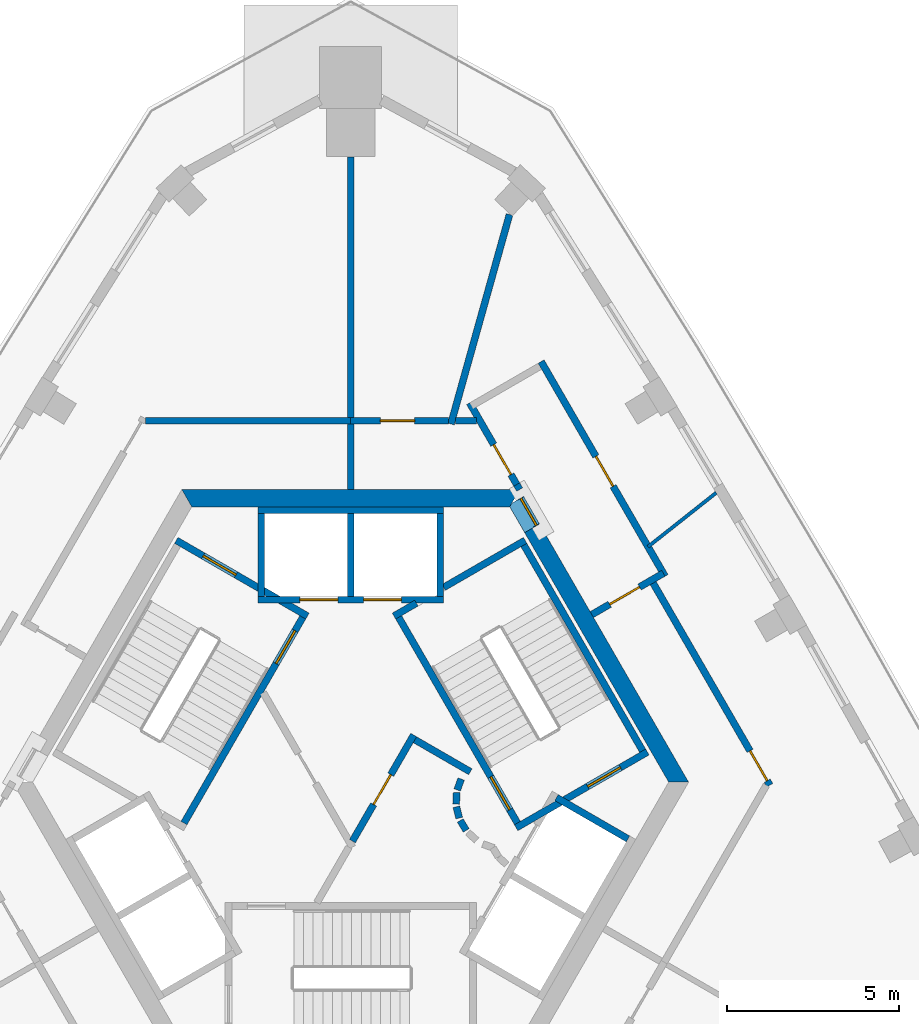
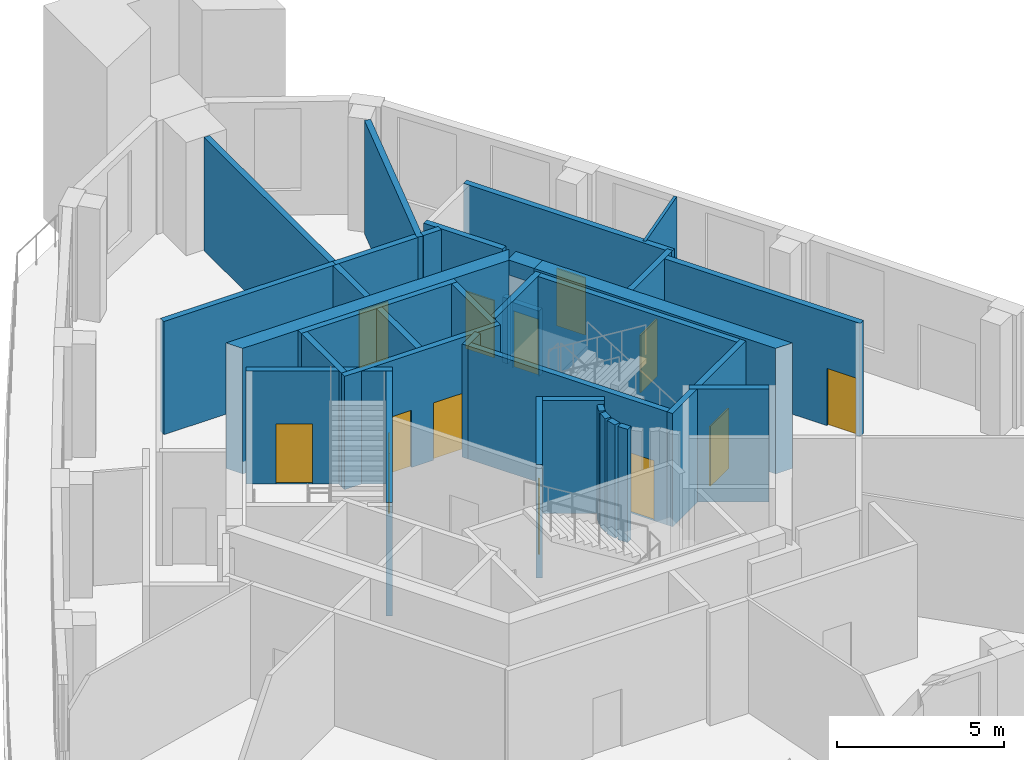
# One storey, part 4 of 7: 35 walls, 13 doors, 13 openings.
"""IFC4 building model written with IfcOpenShell, lengths in metres."""

import ifcopenshell
import ifcopenshell.guid

model = None  # the IFC model being written
_history = None  # IfcOwnerHistory: only IFC2X3 demands one
_inside = {}  # id of a spatial element -> (the spatial element, [elements in it])
_under = {}  # id of a project, library or spatial element -> (it, [spatial elements below it])
_declared = {}  # id of a project -> (the project, [libraries it declares])
_typed = {}  # id of a type object -> (the type object, [elements of that type])
_made_of = {}  # id of a material, layer set ... -> (it, [elements and type objects made of it])


def new_model(schema):
    """Start an empty IFC model of exactly this schema.

    Asked for "IFC4X3", IfcOpenShell would pick the latest addendum, in which some entities
    have other attributes; the version numbers below select the first issue.
    IFC2X3 requires an IfcOwnerHistory on every rooted entity: one is made here for all.
    """
    global model, _history
    if schema == "IFC4X3":
        model = ifcopenshell.file(schema_version=(4, 3, 0, 0))
    else:
        model = ifcopenshell.file(schema=schema)
    _inside.clear()
    _under.clear()
    _declared.clear()
    _typed.clear()
    _made_of.clear()
    _history = None
    if model.schema == "IFC2X3":
        org = make("IfcOrganization", Name="unknown")
        user = make(
            "IfcPersonAndOrganization",
            ThePerson=make("IfcPerson", FamilyName="unknown"),
            TheOrganization=org,
        )
        app = make(
            "IfcApplication",
            ApplicationDeveloper=org,
            Version="unknown",
            ApplicationFullName="unknown",
            ApplicationIdentifier="unknown",
        )
        _history = make(
            "IfcOwnerHistory",
            OwningUser=user,
            OwningApplication=app,
            ChangeAction="ADDED",
            CreationDate=0,
        )
    return model


def make(cls, **values):
    """One entity of the class cls with the attributes given. An attribute that is None is left unset."""
    return model.create_entity(
        cls, **{name: value for name, value in values.items() if value is not None}
    )


def rooted(cls, **values):
    """An entity with a GlobalId (a new one), such as an element, a storey or a relation."""
    return make(cls, GlobalId=ifcopenshell.guid.new(), OwnerHistory=_history, **values)


def si_unit(unit_type, name, prefix=None):
    """IfcSIUnit, for example si_unit("LENGTHUNIT", "METRE", prefix="MILLI")."""
    return make("IfcSIUnit", UnitType=unit_type, Prefix=prefix, Name=name)


def assignment(units):
    """IfcUnitAssignment: the units of a project."""
    return None if units is None else make("IfcUnitAssignment", Units=units)


def point(xyz):
    """IfcCartesianPoint."""
    return None if xyz is None else make("IfcCartesianPoint", Coordinates=xyz)


def direction(xyz):
    """IfcDirection."""
    return None if xyz is None else make("IfcDirection", DirectionRatios=xyz)


def frame(location, z_axis=None, x_axis=None):
    """IfcAxis2Placement3D, a coordinate frame: its origin and axes. An axis left out is left unset."""
    return make(
        "IfcAxis2Placement3D",
        Location=point(location),
        Axis=direction(z_axis),
        RefDirection=direction(x_axis),
    )


def frame_2d(location, x_axis=None):
    """IfcAxis2Placement2D, a coordinate frame in the plane: its origin and x axis."""
    return make(
        "IfcAxis2Placement2D", Location=point(location), RefDirection=direction(x_axis)
    )


def origin():
    """The frame at (0, 0, 0) with its axes left unset."""
    return frame((0.0, 0.0, 0.0))


def place(relative_to, where):
    """IfcLocalPlacement: puts the frame where relative to a parent placement (None: the world)."""
    return make(
        "IfcLocalPlacement", PlacementRelTo=relative_to, RelativePlacement=where
    )


def context(
    kind, dimensions, precision=None, world=None, true_north=None, identifier=None
):
    """IfcGeometricRepresentationContext, for example the 3D "Model" context."""
    return make(
        "IfcGeometricRepresentationContext",
        ContextIdentifier=identifier,
        ContextType=kind,
        CoordinateSpaceDimension=dimensions,
        Precision=precision,
        WorldCoordinateSystem=world,
        TrueNorth=true_north,
    )


def subcontext(parent, identifier, kind, view, scale=None):
    """IfcGeometricRepresentationSubContext, for example "Body" below "Model"."""
    return make(
        "IfcGeometricRepresentationSubContext",
        ContextIdentifier=identifier,
        ContextType=kind,
        ParentContext=parent,
        TargetScale=scale,
        TargetView=view,
    )


def project(units=None, contexts=None):
    """IfcProject with its units and contexts."""
    return rooted(
        "IfcProject",
        Name="project",
        RepresentationContexts=contexts,
        UnitsInContext=assignment(units),
    )


def spatial(cls, under=None, at=None, **own):
    """A site, building, storey or space (cls), placed at a placement, below another one or the project."""
    s = rooted(cls, ObjectPlacement=at, **own)
    if under is not None:
        _under.setdefault(under.id(), (under, []))[1].append(s)
    return s


def polyline(points):
    """IfcPolyline through the points."""
    return make("IfcPolyline", Points=[point(p) for p in points])


def profile(cls, at=None, kind="AREA", **sizes):
    """A parametric profile (cls). Its sizes go by their IFC names, for example OverallWidth=200.0."""
    return make(cls, ProfileType=kind, Position=at, **sizes)


def rectangle(**sizes):
    """IfcRectangleProfileDef."""
    return profile("IfcRectangleProfileDef", **sizes)


def outline(outer, holes=None, kind="AREA"):
    """IfcArbitraryClosedProfileDef: a profile drawn as a closed curve; with holes, ...WithVoids."""
    if holes is None:
        return make("IfcArbitraryClosedProfileDef", ProfileType=kind, OuterCurve=outer)
    return make(
        "IfcArbitraryProfileDefWithVoids",
        ProfileType=kind,
        OuterCurve=outer,
        InnerCurves=holes,
    )


def extrude(swept, where, along, depth):
    """IfcExtrudedAreaSolid: the profile swept, set in the frame where, extruded along a direction by depth."""
    return make(
        "IfcExtrudedAreaSolid",
        SweptArea=swept,
        Position=where,
        ExtrudedDirection=direction(along),
        Depth=depth,
    )


def shape(context_of_items, identifier, shape_type, items):
    """IfcShapeRepresentation: the items that make up one representation, for example the "Body"."""
    return make(
        "IfcShapeRepresentation",
        ContextOfItems=context_of_items,
        RepresentationIdentifier=identifier,
        RepresentationType=shape_type,
        Items=items,
    )


def material(Name=None, Category=None):
    """IfcMaterial."""
    return make("IfcMaterial", Name=Name, Category=Category)


def layer(
    of_material, thickness, ventilated=None, Name=None, Category=None, Priority=None
):
    """IfcMaterialLayer: one layer of a wall or slab, of a material (None: an air gap)."""
    return make(
        "IfcMaterialLayer",
        Material=of_material,
        LayerThickness=thickness,
        IsVentilated=ventilated,
        Name=Name,
        Category=Category,
        Priority=Priority,
    )


def layer_set(layers, Name=None):
    """IfcMaterialLayerSet."""
    return make("IfcMaterialLayerSet", MaterialLayers=layers, LayerSetName=Name)


def made_of(thing, what):
    """Note that an element or type object is made of a material, layer set ...; save() writes the relation."""
    if what is not None:
        _made_of.setdefault(what.id(), (what, []))[1].append(thing)
    return thing


def type_object(cls, material=None, **own):
    """A type object (cls), such as IfcWallType, which elements share."""
    return made_of(rooted(cls, **own), material)


def element(
    cls,
    number,
    at=None,
    inside=None,
    cuts=None,
    type_object=None,
    material=None,
    context=None,
    identifier="Body",
    shape_type=None,
    held_by="IfcProductDefinitionShape",
    body=None,
    shapes=None,
    **own,
):
    """One element of the class cls, such as IfcWall. Its Tag is "e" and its number.

    at: its placement. inside: the storey or other place that contains it. cuts: it is an
    opening in that element (IfcRelVoidsElement). A single representation is given by context,
    identifier, shape_type and body (its items); several are given by shapes. held_by: the class
    of the entity that holds the representations. save() writes the other relations.
    """
    e = rooted(cls, Tag="e%d" % number, ObjectPlacement=at, **own)
    if body is not None:
        shapes = [shape(context, identifier, shape_type, body)]
    if shapes is not None:
        e.Representation = make(held_by, Representations=shapes)
    if inside is not None:
        _inside.setdefault(inside.id(), (inside, []))[1].append(e)
    if cuts is not None:
        rooted(
            "IfcRelVoidsElement", RelatingBuildingElement=cuts, RelatedOpeningElement=e
        )
    if type_object is not None:
        _typed.setdefault(type_object.id(), (type_object, []))[1].append(e)
    return made_of(e, material)


def fill(opening, filler):
    """IfcRelFillsElement: the door or window that sits in an opening."""
    return rooted(
        "IfcRelFillsElement",
        RelatingOpeningElement=opening,
        RelatedBuildingElement=filler,
    )


def aggregate(whole, parts):
    """IfcRelAggregates: a whole, such as a stair, and the parts it consists of."""
    return rooted("IfcRelAggregates", RelatingObject=whole, RelatedObjects=parts)


def save(model, path):
    """Write the relations noted so far, then the file.

    IfcRelAggregates (storeys below a building ...), IfcRelContainedInSpatialStructure (elements
    in a storey), IfcRelDefinesByType, IfcRelAssociatesMaterial and IfcRelDeclares: one each for
    every whole, place, type object, material and project.
    """
    for whole, parts in _under.values():
        aggregate(whole, parts)
    for where, things in _inside.values():
        rooted(
            "IfcRelContainedInSpatialStructure",
            RelatedElements=things,
            RelatingStructure=where,
        )
    for kind, things in _typed.values():
        rooted("IfcRelDefinesByType", RelatedObjects=things, RelatingType=kind)
    for what, things in _made_of.values():
        rooted("IfcRelAssociatesMaterial", RelatedObjects=things, RelatingMaterial=what)
    for by, libraries in _declared.values():
        rooted("IfcRelDeclares", RelatingContext=by, RelatedDefinitions=libraries)
    model.write(path)


model = new_model("IFC4")

# Units and contexts
model_context = context("Model", 3, precision=1e-05, world=origin(), true_north=direction((0.0, 1.0)))
body_context = subcontext(model_context, "Body", "Model", "MODEL_VIEW")
ifc_project = project(units=[si_unit("LENGTHUNIT", "METRE"), si_unit("AREAUNIT", "SQUARE_METRE"), si_unit("VOLUMEUNIT", "CUBIC_METRE"), si_unit("PLANEANGLEUNIT", "RADIAN"), si_unit("MASSUNIT", "GRAM", prefix="KILO")], contexts=[model_context])

# Site, building, storey
site_placement = place(None, origin())
site = spatial("IfcSite", under=ifc_project, at=site_placement, CompositionType="ELEMENT")
building_placement = place(site_placement, origin())
building = spatial("IfcBuilding", under=site, at=building_placement, Name="Entoto Arch Interchange Tower", CompositionType="ELEMENT")
storey_placement = place(building_placement, frame((0.0, 0.0, 340.39990234375)))
storey = spatial("IfcBuildingStorey", under=building, at=storey_placement, Name="L80", CompositionType="ELEMENT", Elevation=340.39990234375)

# Wall, opening, door
ifc_material_1 = material(Name="Reinforced concrete C40/50", Category="concrete")
ifc_layer_1 = layer(ifc_material_1, 0.199951171875)
ifc_layer_set_1 = layer_set([ifc_layer_1], Name="Reinforced concrete C40/50")
wall_type_1 = type_object("IfcWallType", Name="CORE GAP INFILL WALL", PredefinedType="PARTITIONING", material=ifc_layer_set_1)
wall_1_placement = place(storey_placement, frame((5.39892578125, 9.947998046875, 0.0), z_axis=(0.0, 0.0, 1.0), x_axis=(-0.499882215713, 0.866093395895, 0.0)))
wall_1 = element("IfcWall", 1, at=wall_1_placement, inside=storey, type_object=wall_type_1, Name="wall:L80:gap2", PredefinedType="PARTITIONING", context=body_context, shape_type="SweptSolid", body=[
    extrude(rectangle(XDim=0.926025390625, YDim=0.199951171875, at=frame_2d((0.462890625, 0.0))), origin(), (0.0, 0.0, 1.0), 2.400146484375),
])
opening_1_placement = place(wall_1_placement, frame((0.01708984375, 0.0, 0.0)))
opening_1 = element("IfcOpeningElement", 2, at=opening_1_placement, cuts=wall_1, Name="Opening L80-D92", PredefinedType="OPENING", context=body_context, shape_type="SweptSolid", body=[
    extrude(rectangle(XDim=0.89990234375, YDim=2.10009765625, at=frame_2d((0.449951171875, 1.050048828125))), frame((0.0, 0.10986328125, 0.0), z_axis=(0.0, -1.0, 0.0), x_axis=(1.0, 0.0, 0.0)), (0.0, 0.0, 1.0), 0.219970703125),
])
ifc_material_2 = material(Name="Fire-rated Steel S235 door and frame", Category="steel")
door_type_1 = type_object("IfcDoorType", Name="DOOR FD-09 900x2100", OperationType="SINGLE_SWING_LEFT", PredefinedType="DOOR", material=ifc_material_2)
door_1_placement = place(opening_1_placement, origin())
door_1 = element("IfcDoor", 3, at=door_1_placement, inside=storey, type_object=door_type_1, Name="door:L80:gap2", OperationType="SINGLE_SWING_LEFT", OverallHeight=2.10009765625, OverallWidth=0.89990234375, PredefinedType="DOOR", context=body_context, shape_type="SweptSolid", body=[
    extrude(rectangle(XDim=0.89990234375, YDim=2.10009765625, at=frame_2d((0.449951171875, 1.050048828125))), frame((0.0, 0.02490234375, 0.0), z_axis=(0.0, -1.0, 0.0), x_axis=(1.0, 0.0, 0.0)), (0.0, 0.0, 1.0), 0.050048828125),
])
fill(opening_1, door_1)

# Walls
ifc_material_3 = material(Name="Concrete C40/50", Category="concrete")
ifc_layer_2 = layer(ifc_material_3, 0.5)
ifc_layer_set_2 = layer_set([ifc_layer_2], Name="Concrete C40/50")
wall_type_2 = type_object("IfcWallType", Name="Core wall 500 C40/50", PredefinedType="SHEAR", material=ifc_layer_set_2)
wall_2_placement = place(storey_placement, frame((0.0, 0.0, -0.449951171875)))
element("IfcWall", 4, at=wall_2_placement, inside=storey, type_object=wall_type_2, Name="Core wall NE L80", PredefinedType="SHEAR", context=body_context, shape_type="SweptSolid", body=[
    extrude(outline(polyline([(5.486083984375, 9.998046875), (5.052978515625, 9.748046875), (9.238037109375, 2.5), (9.81494140625, 2.5), (5.486083984375, 9.998046875)])), origin(), (0.0, 0.0, 1.0), 4.60009765625),
])
wall_3_placement = place(storey_placement, frame((0.0, 0.0, 3.60009765625)))
element("IfcWall", 5, at=wall_3_placement, inside=storey, type_object=wall_type_2, Name="Core wall lintel NE L80", PredefinedType="SHEAR", context=body_context, shape_type="SweptSolid", body=[
    extrude(outline(polyline([(5.02197265625, 10.800048828125), (4.677001953125, 10.60107421875), (4.618896484375, 10.5), (5.052978515625, 9.748046875), (5.486083984375, 9.998046875), (5.02197265625, 10.800048828125)])), origin(), (0.0, 0.0, 1.0), 0.550048828125),
])
wall_4_placement = place(storey_placement, frame((0.0, 0.0, -0.449951171875)))
element("IfcWall", 6, at=wall_4_placement, inside=storey, type_object=wall_type_2, Name="Core wall N L80", PredefinedType="SHEAR", context=body_context, shape_type="SweptSolid", body=[
    extrude(outline(polyline([(4.906982421875, 11.0), (-4.906982421875, 11.0), (-4.618896484375, 10.5), (4.618896484375, 10.5), (4.906982421875, 11.0)])), origin(), (0.0, 0.0, 1.0), 4.60009765625),
])

# Wall, openings, doors
ifc_layer_3 = layer(ifc_material_3, 0.199951171875)
ifc_layer_set_3 = layer_set([ifc_layer_3], Name="Concrete C40/50")
wall_type_3 = type_object("IfcWallType", Name="LIFT SHAFT WALL 200", PredefinedType="STANDARD", material=ifc_layer_set_3)
wall_5_placement = place(storey_placement, frame((2.699951171875, 7.800048828125, 0.0), z_axis=(0.0, 0.0, 1.0), x_axis=(-1.0, 0.0, 0.0)))
wall_5 = element("IfcWall", 7, at=wall_5_placement, inside=storey, type_object=wall_type_3, Name="Shaft wall N1 front", PredefinedType="STANDARD", context=body_context, shape_type="SweptSolid", body=[
    extrude(rectangle(XDim=5.39990234375, YDim=0.199951171875, at=frame_2d((2.699951171875, 0.0))), origin(), (0.0, 0.0, 1.0), 4.150146484375),
])
opening_2_placement = place(wall_5_placement, frame((1.22509765625, 0.0, 0.0)))
opening_2 = element("IfcOpeningElement", 8, at=opening_2_placement, cuts=wall_5, Name="Opening LD-HR1-L80", PredefinedType="OPENING", context=body_context, shape_type="SweptSolid", body=[
    extrude(rectangle(XDim=1.10009765625, YDim=2.10009765625, at=frame_2d((0.550048828125, 1.050048828125))), frame((0.0, 0.10986328125, 0.0), z_axis=(0.0, -1.0, 0.0), x_axis=(1.0, 0.0, 0.0)), (0.0, 0.0, 1.0), 0.219970703125),
])
opening_3_placement = place(wall_5_placement, frame((3.074951171875, 0.0, 0.0)))
opening_3 = element("IfcOpeningElement", 9, at=opening_3_placement, cuts=wall_5, Name="Opening LD-HR2-L80", PredefinedType="OPENING", context=body_context, shape_type="SweptSolid", body=[
    extrude(rectangle(XDim=1.10009765625, YDim=2.10009765625, at=frame_2d((0.550048828125, 1.050048828125))), frame((0.0, 0.10986328125, 0.0), z_axis=(0.0, -1.0, 0.0), x_axis=(1.0, 0.0, 0.0)), (0.0, 0.0, 1.0), 0.219970703125),
])
ifc_material_4 = material(Name="Stainless steel 1.4301 panels", Category="steel")
door_type_2 = type_object("IfcDoorType", Name="LIFT LANDING DOOR LD1 1100x2100", OperationType="SLIDING_TO_LEFT", PredefinedType="DOOR", material=ifc_material_4)
door_2_placement = place(opening_2_placement, origin())
door_2 = element("IfcDoor", 10, at=door_2_placement, inside=storey, type_object=door_type_2, Name="Lift landing door HR1 L80", OperationType="SLIDING_TO_LEFT", OverallHeight=2.10009765625, OverallWidth=1.10009765625, PredefinedType="DOOR", context=body_context, shape_type="SweptSolid", body=[
    extrude(rectangle(XDim=1.10009765625, YDim=2.10009765625, at=frame_2d((0.550048828125, 1.050048828125))), frame((0.0, 0.02490234375, 0.0), z_axis=(0.0, -1.0, 0.0), x_axis=(1.0, 0.0, 0.0)), (0.0, 0.0, 1.0), 0.050048828125),
])
fill(opening_2, door_2)
door_3_placement = place(opening_3_placement, origin())
door_3 = element("IfcDoor", 11, at=door_3_placement, inside=storey, type_object=door_type_2, Name="Lift landing door HR2 L80", OperationType="SLIDING_TO_LEFT", OverallHeight=2.10009765625, OverallWidth=1.10009765625, PredefinedType="DOOR", context=body_context, shape_type="SweptSolid", body=[
    extrude(rectangle(XDim=1.10009765625, YDim=2.10009765625, at=frame_2d((0.550048828125, 1.050048828125))), frame((0.0, 0.02490234375, 0.0), z_axis=(0.0, -1.0, 0.0), x_axis=(1.0, 0.0, 0.0)), (0.0, 0.0, 1.0), 0.050048828125),
])
fill(opening_3, door_3)

# Walls
wall_6_placement = place(storey_placement, frame((2.699951171875, 10.39990234375, 0.0), z_axis=(0.0, 0.0, 1.0), x_axis=(-1.0, 0.0, 0.0)))
element("IfcWall", 12, at=wall_6_placement, inside=storey, type_object=wall_type_3, Name="Shaft wall N1 back", PredefinedType="STANDARD", context=body_context, shape_type="SweptSolid", body=[
    extrude(rectangle(XDim=5.39990234375, YDim=0.199951171875, at=frame_2d((2.699951171875, 0.0))), origin(), (0.0, 0.0, 1.0), 4.150146484375),
])
for number, where, z_axis, x_axis, name in (
    (13, (2.60009765625, 7.89990234375, 0.0), (0.0, 0.0, 1.0), (0.0, 1.0, 0.0), "Shaft wall N1 cross 1"),
    (14, (0.0, 7.89990234375, 0.0), (0.0, 0.0, 1.0), (0.0, 1.0, 0.0), "Shaft wall N1 cross 2"),
    (15, (-2.60009765625, 7.89990234375, 0.0), (0.0, 0.0, 1.0), (0.0, 1.0, 0.0), "Shaft wall N1 cross 3"),
):
    element("IfcWall", number, at=place(storey_placement, frame(where, z_axis=z_axis, x_axis=x_axis)), inside=storey, type_object=wall_type_3, Name=name, PredefinedType="STANDARD", context=body_context, shape_type="SweptSolid", body=[
        extrude(rectangle(XDim=2.400146484375, YDim=0.199951171875, at=frame_2d((1.2001953125, 0.0))), origin(), (0.0, 0.0, 1.0), 4.150146484375),
    ])
wall_7_placement = place(storey_placement, frame((5.97705078125, 2.052001953125, 0.0), z_axis=(0.0, 0.0, 1.0), x_axis=(0.865973769406, -0.500089422704, 0.0)))
element("IfcWall", 16, at=wall_7_placement, inside=storey, type_object=wall_type_3, Name="Shaft wall SE1 cross 3", PredefinedType="STANDARD", context=body_context, shape_type="SweptSolid", body=[
    extrude(rectangle(XDim=2.3994140625, YDim=0.199951171875, at=frame_2d((1.19970703125, 0.0))), origin(), (0.0, 0.0, 1.0), 4.150146484375),
])
ifc_material_5 = material(Name="Gypsum board partition on steel studs", Category="steel")
ifc_layer_4 = layer(ifc_material_5, 0.10009765625)
ifc_layer_set_4 = layer_set([ifc_layer_4], Name="Gypsum board partition on steel studs")
wall_type_4 = type_object("IfcWallType", Name="PARTITION 100", PredefinedType="PARTITIONING", material=ifc_layer_set_4)
wall_8_placement = place(storey_placement, frame((10.616943359375, 10.906005859375, 0.0), z_axis=(0.0, 0.0, 1.0), x_axis=(-0.784159528351, -0.620559291363, 0.0)))
element("IfcWall", 17, at=wall_8_placement, inside=storey, type_object=wall_type_4, Name="wall:L80:p036", PredefinedType="PARTITIONING", context=body_context, shape_type="SweptSolid", body=[
    extrude(rectangle(XDim=2.52490234375, YDim=0.10009765625, at=frame_2d((1.262451171875, 0.0))), origin(), (0.0, 0.0, 1.0), 4.150146484375),
])
ifc_layer_5 = layer(ifc_material_5, 0.199951171875)
ifc_layer_set_5 = layer_set([ifc_layer_5], Name="Gypsum board partition on steel studs")
wall_type_5 = type_object("IfcWallType", Name="PARTITION 200", PredefinedType="PARTITIONING", material=ifc_layer_set_5)
wall_9_placement = place(storey_placement, frame((1.865966796875, 3.73193359375, 0.0), z_axis=(0.0, 0.0, 1.0), x_axis=(0.866043361281, -0.499968895414, 0.0)))
element("IfcWall", 18, at=wall_9_placement, inside=storey, type_object=wall_type_5, Name="wall:L80:p002", PredefinedType="PARTITIONING", context=body_context, shape_type="SweptSolid", body=[
    extrude(rectangle(XDim=1.85791015625, YDim=0.199951171875, at=frame_2d((0.928955078125, 0.0))), origin(), (0.0, 0.0, 1.0), 4.150146484375),
])
wall_10_placement = place(storey_placement, frame((3.2080078125, 2.592041015625, 0.0), z_axis=(0.0, 0.0, 1.0), x_axis=(-0.337388820924, -0.941365382578, 0.0)))
element("IfcWall", 19, at=wall_10_placement, inside=storey, type_object=wall_type_5, Name="wall:L80:p003", PredefinedType="PARTITIONING", context=body_context, shape_type="SweptSolid", body=[
    extrude(rectangle(XDim=0.337890625, YDim=0.199951171875, at=frame_2d((0.1689453125, 0.0))), origin(), (0.0, 0.0, 1.0), 4.150146484375),
])
wall_11_placement = place(storey_placement, frame((3.0791015625, 2.198974609375, 0.0), z_axis=(0.0, 0.0, 1.0), x_axis=(-0.047771483479, -0.998858290933, 0.0)))
element("IfcWall", 20, at=wall_11_placement, inside=storey, type_object=wall_type_5, Name="wall:L80:p004", PredefinedType="PARTITIONING", context=body_context, shape_type="SweptSolid", body=[
    extrude(rectangle(XDim=0.33740234375, YDim=0.199951171875, at=frame_2d((0.168701171875, 0.0))), origin(), (0.0, 0.0, 1.0), 4.150146484375),
])
wall_12_placement = place(storey_placement, frame((3.070068359375, 1.785888671875, 0.0), z_axis=(0.0, 0.0, 1.0), x_axis=(0.242705583207, -0.970099994784, 0.0)))
element("IfcWall", 21, at=wall_12_placement, inside=storey, type_object=wall_type_5, Name="wall:L80:p005", PredefinedType="PARTITIONING", context=body_context, shape_type="SweptSolid", body=[
    extrude(rectangle(XDim=0.337890625, YDim=0.199951171875, at=frame_2d((0.1689453125, 0.0))), origin(), (0.0, 0.0, 1.0), 4.150146484375),
])
wall_13_placement = place(storey_placement, frame((3.181884765625, 1.387939453125, 0.0), z_axis=(0.0, 0.0, 1.0), x_axis=(0.512474702713, -0.85870232274, 0.0)))
element("IfcWall", 22, at=wall_13_placement, inside=storey, type_object=wall_type_5, Name="wall:L80:p006", PredefinedType="PARTITIONING", context=body_context, shape_type="SweptSolid", body=[
    extrude(rectangle(XDim=0.337646484375, YDim=0.199951171875, at=frame_2d((0.1689453125, 0.0))), origin(), (0.0, 0.0, 1.0), 4.150146484375),
])

# Wall, opening, door
wall_14_placement = place(storey_placement, frame((0.050048828125, 0.787109375, 0.0), z_axis=(0.0, 0.0, 1.0), x_axis=(0.499954076797, 0.866051915934, 0.0)))
wall_14 = element("IfcWall", 23, at=wall_14_placement, inside=storey, type_object=wall_type_5, Name="wall:L80:p011", PredefinedType="PARTITIONING", context=body_context, shape_type="SweptSolid", body=[
    extrude(rectangle(XDim=3.558349609375, YDim=0.199951171875, at=frame_2d((1.779296875, 0.0))), origin(), (0.0, 0.0, 1.0), 4.150146484375),
])
opening_4_placement = place(wall_14_placement, frame((1.22900390625, 0.0, 0.0)))
opening_4 = element("IfcOpeningElement", 24, at=opening_4_placement, cuts=wall_14, Name="Opening L80-D16", PredefinedType="OPENING", context=body_context, shape_type="SweptSolid", body=[
    extrude(rectangle(XDim=1.0, YDim=2.10009765625, at=frame_2d((0.5, 1.050048828125))), frame((0.0, 0.10986328125, 0.0), z_axis=(0.0, -1.0, 0.0), x_axis=(1.0, 0.0, 0.0)), (0.0, 0.0, 1.0), 0.219970703125),
])
door_type_3 = type_object("IfcDoorType", Name="DOOR FD-10 1000x2100", OperationType="SINGLE_SWING_LEFT", PredefinedType="DOOR", material=ifc_material_2)
door_4_placement = place(opening_4_placement, origin())
door_4 = element("IfcDoor", 25, at=door_4_placement, inside=storey, type_object=door_type_3, Name="door:L80:16", OperationType="SINGLE_SWING_RIGHT", OverallHeight=2.10009765625, OverallWidth=1.0, PredefinedType="DOOR", context=body_context, shape_type="SweptSolid", body=[
    extrude(rectangle(XDim=1.0, YDim=2.10009765625, at=frame_2d((0.5, 1.050048828125))), frame((0.0, 0.02490234375, 0.0), z_axis=(0.0, -1.0, 0.0), x_axis=(1.0, 0.0, 0.0)), (0.0, 0.0, 1.0), 0.050048828125),
])
fill(opening_4, door_4)

wall_15_placement = place(storey_placement, frame((9.08203125, 8.568115234375, 0.0), z_axis=(0.0, 0.0, 1.0), x_axis=(-0.865955154139, -0.50012165622, 0.0)))
wall_15 = element("IfcWall", 26, at=wall_15_placement, inside=storey, type_object=wall_type_5, Name="wall:L80:p027", PredefinedType="PARTITIONING", context=body_context, shape_type="SweptSolid", body=[
    extrude(rectangle(XDim=2.39990234375, YDim=0.199951171875, at=frame_2d((1.199951171875, 0.0))), origin(), (0.0, 0.0, 1.0), 4.150146484375),
])
opening_5_placement = place(wall_15_placement, frame((0.800048828125, 0.0, 0.0)))
opening_5 = element("IfcOpeningElement", 27, at=opening_5_placement, cuts=wall_15, Name="Opening L80-D06", PredefinedType="OPENING", context=body_context, shape_type="SweptSolid", body=[
    extrude(rectangle(XDim=1.0, YDim=2.10009765625, at=frame_2d((0.5, 1.050048828125))), frame((0.0, 0.10986328125, 0.0), z_axis=(0.0, -1.0, 0.0), x_axis=(1.0, 0.0, 0.0)), (0.0, 0.0, 1.0), 0.219970703125),
])
door_5_placement = place(opening_5_placement, origin())
door_5 = element("IfcDoor", 28, at=door_5_placement, inside=storey, type_object=door_type_3, Name="door:L80:06", OperationType="SINGLE_SWING_LEFT", OverallHeight=2.10009765625, OverallWidth=1.0, PredefinedType="DOOR", context=body_context, shape_type="SweptSolid", body=[
    extrude(rectangle(XDim=1.0, YDim=2.10009765625, at=frame_2d((0.5, 1.050048828125))), frame((0.0, 0.02490234375, 0.0), z_axis=(0.0, -1.0, 0.0), x_axis=(1.0, 0.0, 0.0)), (0.0, 0.0, 1.0), 0.050048828125),
])
fill(opening_5, door_5)

# Wall
wall_16_placement = place(storey_placement, frame((4.906982421875, 11.0, 0.0), z_axis=(0.0, 0.0, 1.0), x_axis=(-0.5004692653, 0.865754303766, 0.0)))
element("IfcWall", 29, at=wall_16_placement, inside=storey, type_object=wall_type_5, Name="wall:L80:p028", PredefinedType="PARTITIONING", context=body_context, shape_type="SweptSolid", body=[
    extrude(rectangle(XDim=0.169677734375, YDim=0.199951171875, at=frame_2d((0.0849609375, 0.0))), origin(), (0.0, 0.0, 1.0), 2.400146484375),
])

# Wall, opening, door
wall_17_placement = place(storey_placement, frame((5.531982421875, 14.717041015625, 0.0), z_axis=(0.0, 0.0, 1.0), x_axis=(0.499968011863, -0.866043871356, 0.0)))
wall_17 = element("IfcWall", 30, at=wall_17_placement, inside=storey, type_object=wall_type_5, Name="wall:L80:p029", PredefinedType="PARTITIONING", context=body_context, shape_type="SweptSolid", body=[
    extrude(rectangle(XDim=7.20068359375, YDim=0.199951171875, at=frame_2d((3.600341796875, 0.0))), origin(), (0.0, 0.0, 1.0), 4.150146484375),
])
opening_6_placement = place(wall_17_placement, frame((3.179931640625, 0.0, 0.0)))
opening_6 = element("IfcOpeningElement", 31, at=opening_6_placement, cuts=wall_17, Name="Opening L80-D08", PredefinedType="OPENING", context=body_context, shape_type="SweptSolid", body=[
    extrude(rectangle(XDim=1.0, YDim=2.10009765625, at=frame_2d((0.5, 1.050048828125))), frame((0.0, 0.10986328125, 0.0), z_axis=(0.0, -1.0, 0.0), x_axis=(1.0, 0.0, 0.0)), (0.0, 0.0, 1.0), 0.219970703125),
])
door_6_placement = place(opening_6_placement, origin())
door_6 = element("IfcDoor", 32, at=door_6_placement, inside=storey, type_object=door_type_3, Name="door:L80:08", OperationType="SINGLE_SWING_LEFT", OverallHeight=2.10009765625, OverallWidth=1.0, PredefinedType="DOOR", context=body_context, shape_type="SweptSolid", body=[
    extrude(rectangle(XDim=1.0, YDim=2.10009765625, at=frame_2d((0.5, 1.050048828125))), frame((0.0, 0.02490234375, 0.0), z_axis=(0.0, -1.0, 0.0), x_axis=(1.0, 0.0, 0.0)), (0.0, 0.0, 1.0), 0.050048828125),
])
fill(opening_6, door_6)

wall_18_placement = place(storey_placement, frame((8.736083984375, 8.367919921875, 0.0), z_axis=(0.0, 0.0, 1.0), x_axis=(0.499995994493, -0.866027716353, 0.0)))
wall_18 = element("IfcWall", 33, at=wall_18_placement, inside=storey, type_object=wall_type_5, Name="wall:L80:p031", PredefinedType="PARTITIONING", context=body_context, shape_type="SweptSolid", body=[
    extrude(rectangle(XDim=6.8759765625, YDim=0.199951171875, at=frame_2d((3.43798828125, 0.0))), origin(), (0.0, 0.0, 1.0), 4.150146484375),
])
opening_7_placement = place(wall_18_placement, frame((5.72607421875, 0.0, 0.0)))
opening_7 = element("IfcOpeningElement", 34, at=opening_7_placement, cuts=wall_18, Name="Opening L80-D09", PredefinedType="OPENING", context=body_context, shape_type="SweptSolid", body=[
    extrude(rectangle(XDim=1.0, YDim=2.10009765625, at=frame_2d((0.5, 1.050048828125))), frame((0.0, 0.10986328125, 0.0), z_axis=(0.0, -1.0, 0.0), x_axis=(1.0, 0.0, 0.0)), (0.0, 0.0, 1.0), 0.219970703125),
])
ifc_material_6 = material(Name="Timber door leaf in Steel S235 frame", Category="steel")
door_type_4 = type_object("IfcDoorType", Name="DOOR DS-10 1000x2100", OperationType="SINGLE_SWING_LEFT", PredefinedType="DOOR", material=ifc_material_6)
door_7_placement = place(opening_7_placement, origin())
door_7 = element("IfcDoor", 35, at=door_7_placement, inside=storey, type_object=door_type_4, Name="door:L80:09", OperationType="SINGLE_SWING_RIGHT", OverallHeight=2.10009765625, OverallWidth=1.0, PredefinedType="DOOR", context=body_context, shape_type="SweptSolid", body=[
    extrude(rectangle(XDim=1.0, YDim=2.10009765625, at=frame_2d((0.5, 1.050048828125))), frame((0.0, 0.02490234375, 0.0), z_axis=(0.0, -1.0, 0.0), x_axis=(1.0, 0.0, 0.0)), (0.0, 0.0, 1.0), 0.050048828125),
])
fill(opening_7, door_7)

# Wall
wall_19_placement = place(storey_placement, frame((3.0380859375, 13.0, 0.0), z_axis=(0.0, 0.0, 1.0), x_axis=(1.0, 0.0, 0.0)))
element("IfcWall", 36, at=wall_19_placement, inside=storey, type_object=wall_type_5, Name="wall:L80:p033", PredefinedType="PARTITIONING", context=body_context, shape_type="SweptSolid", body=[
    extrude(rectangle(XDim=0.614013671875, YDim=0.199951171875, at=frame_2d((0.30712890625, 0.0))), origin(), (0.0, 0.0, 1.0), 4.150146484375),
])

# Wall, opening, door
wall_20_placement = place(storey_placement, frame((0.0, 13.0, 0.0), z_axis=(0.0, 0.0, 1.0), x_axis=(1.0, 0.0, 0.0)))
wall_20 = element("IfcWall", 37, at=wall_20_placement, inside=storey, type_object=wall_type_5, Name="wall:L80:p034", PredefinedType="PARTITIONING", context=body_context, shape_type="SweptSolid", body=[
    extrude(rectangle(XDim=2.837890625, YDim=0.199951171875, at=frame_2d((1.4189453125, 0.0))), origin(), (0.0, 0.0, 1.0), 4.150146484375),
])
opening_8_placement = place(wall_20_placement, frame((0.85888671875, 0.0, 0.0)))
opening_8 = element("IfcOpeningElement", 38, at=opening_8_placement, cuts=wall_20, Name="Opening L80-D10", PredefinedType="OPENING", context=body_context, shape_type="SweptSolid", body=[
    extrude(rectangle(XDim=1.0, YDim=2.10009765625, at=frame_2d((0.5, 1.050048828125))), frame((0.0, 0.10986328125, 0.0), z_axis=(0.0, -1.0, 0.0), x_axis=(1.0, 0.0, 0.0)), (0.0, 0.0, 1.0), 0.219970703125),
])
door_8_placement = place(opening_8_placement, origin())
door_8 = element("IfcDoor", 39, at=door_8_placement, inside=storey, type_object=door_type_4, Name="door:L80:10", OperationType="SINGLE_SWING_LEFT", OverallHeight=2.10009765625, OverallWidth=1.0, PredefinedType="DOOR", context=body_context, shape_type="SweptSolid", body=[
    extrude(rectangle(XDim=1.0, YDim=2.10009765625, at=frame_2d((0.5, 1.050048828125))), frame((0.0, 0.02490234375, 0.0), z_axis=(0.0, -1.0, 0.0), x_axis=(1.0, 0.0, 0.0)), (0.0, 0.0, 1.0), 0.050048828125),
])
fill(opening_8, door_8)

# Walls
wall_21_placement = place(storey_placement, frame((0.0, 11.0, 0.0), z_axis=(0.0, 0.0, 1.0), x_axis=(0.0, 1.0, 0.0)))
element("IfcWall", 40, at=wall_21_placement, inside=storey, type_object=wall_type_5, Name="wall:L80:p035", PredefinedType="PARTITIONING", context=body_context, shape_type="SweptSolid", body=[
    extrude(rectangle(XDim=1.89990234375, YDim=0.199951171875, at=frame_2d((0.949951171875, 0.0))), origin(), (0.0, 0.0, 1.0), 4.150146484375),
])
wall_22_placement = place(storey_placement, frame((2.910888671875, 12.904052734375, 0.0), z_axis=(0.0, 0.0, 1.0), x_axis=(0.269389141698, 0.963031406723, 0.0)))
element("IfcWall", 41, at=wall_22_placement, inside=storey, type_object=wall_type_5, Name="wall:L80:p037", PredefinedType="PARTITIONING", context=body_context, shape_type="SweptSolid", body=[
    extrude(rectangle(XDim=6.318603515625, YDim=0.199951171875, at=frame_2d((3.1591796875, 0.0))), origin(), (0.0, 0.0, 1.0), 4.150146484375),
])
wall_23_placement = place(storey_placement, frame((0.0, 12.89990234375, 0.0), z_axis=(0.0, 0.0, 1.0), x_axis=(0.0, 1.0, 0.0)))
element("IfcWall", 42, at=wall_23_placement, inside=storey, type_object=wall_type_5, Name="wall:L80:p038", PredefinedType="PARTITIONING", context=body_context, shape_type="SweptSolid", body=[
    extrude(rectangle(XDim=7.756103515625, YDim=0.199951171875, at=frame_2d((3.8779296875, 0.0))), origin(), (0.0, 0.0, 1.0), 4.150146484375),
])
wall_24_placement = place(storey_placement, frame((-5.9619140625, 13.0, 0.0), z_axis=(0.0, 0.0, 1.0), x_axis=(1.0, 0.0, 0.0)))
element("IfcWall", 43, at=wall_24_placement, inside=storey, type_object=wall_type_5, Name="wall:L80:p046", PredefinedType="PARTITIONING", context=body_context, shape_type="SweptSolid", body=[
    extrude(rectangle(XDim=5.9619140625, YDim=0.199951171875, at=frame_2d((2.98095703125, 0.0))), origin(), (0.0, 0.0, 1.0), 4.150146484375),
])

# Wall, opening, door
wall_25_placement = place(storey_placement, frame((4.822021484375, 11.14697265625, 0.0), z_axis=(0.0, 0.0, 1.0), x_axis=(-0.499871764879, 0.866099427708, 0.0)))
wall_25 = element("IfcWall", 44, at=wall_25_placement, inside=storey, type_object=wall_type_5, Name="wall:L80:p028", PredefinedType="PARTITIONING", context=body_context, shape_type="SweptSolid", body=[
    extrude(rectangle(XDim=2.736572265625, YDim=0.199951171875, at=frame_2d((1.3681640625, 0.0))), origin(), (0.0, 0.0, 1.0), 4.150146484375),
])
opening_9_placement = place(wall_25_placement, frame((0.3349609375, 0.0, 0.0)))
opening_9 = element("IfcOpeningElement", 45, at=opening_9_placement, cuts=wall_25, Name="Opening L80-D07", PredefinedType="OPENING", context=body_context, shape_type="SweptSolid", body=[
    extrude(rectangle(XDim=1.0, YDim=2.10009765625, at=frame_2d((0.5, 1.050048828125))), frame((0.0, 0.10986328125, 0.0), z_axis=(0.0, -1.0, 0.0), x_axis=(1.0, 0.0, 0.0)), (0.0, 0.0, 1.0), 0.219970703125),
])
door_9_placement = place(opening_9_placement, origin())
door_9 = element("IfcDoor", 46, at=door_9_placement, inside=storey, type_object=door_type_3, Name="door:L80:07", OperationType="SINGLE_SWING_RIGHT", OverallHeight=2.10009765625, OverallWidth=1.0, PredefinedType="DOOR", context=body_context, shape_type="SweptSolid", body=[
    extrude(rectangle(XDim=1.0, YDim=2.10009765625, at=frame_2d((0.5, 1.050048828125))), frame((0.0, 0.02490234375, 0.0), z_axis=(0.0, -1.0, 0.0), x_axis=(1.0, 0.0, 0.0)), (0.0, 0.0, 1.0), 0.050048828125),
])
fill(opening_9, door_9)

ifc_layer_6 = layer(ifc_material_3, 0.199951171875)
ifc_layer_set_6 = layer_set([ifc_layer_6], Name="Concrete C40/50")
wall_type_6 = type_object("IfcWallType", Name="STAIR ENCLOSURE WALL 200", PredefinedType="STANDARD", material=ifc_layer_set_6)
wall_26_placement = place(storey_placement, frame((4.805908203125, 1.176025390625, 0.0), z_axis=(0.0, 0.0, 1.0), x_axis=(0.866059941101, 0.499940174841, 0.0)))
wall_26 = element("IfcWall", 47, at=wall_26_placement, inside=storey, type_object=wall_type_6, Name="Stair wall ST-NE near", PredefinedType="STANDARD", context=body_context, shape_type="SweptSolid", body=[
    extrude(rectangle(XDim=4.400390625, YDim=0.199951171875, at=frame_2d((2.2001953125, 0.0))), origin(), (0.0, 0.0, 1.0), 4.150146484375),
])
opening_10_placement = place(wall_26_placement, frame((2.39990234375, 0.0, 0.0)))
opening_10 = element("IfcOpeningElement", 48, at=opening_10_placement, cuts=wall_26, Name="Opening SD-ST-NE-L80-E", PredefinedType="OPENING", context=body_context, shape_type="SweptSolid", body=[
    extrude(rectangle(XDim=1.10009765625, YDim=2.199951171875, at=frame_2d((0.550048828125, 1.10009765625))), frame((0.0, 0.10986328125, 0.0), z_axis=(0.0, -1.0, 0.0), x_axis=(1.0, 0.0, 0.0)), (0.0, 0.0, 1.0), 0.219970703125),
])
ifc_material_7 = material(Name="Steel S235", Category="steel")
door_type_5 = type_object("IfcDoorType", Name="STAIR DOOR SD1 1100x2200", OperationType="SINGLE_SWING_LEFT", PredefinedType="DOOR", material=ifc_material_7)
door_10_placement = place(opening_10_placement, origin())
door_10 = element("IfcDoor", 49, at=door_10_placement, inside=storey, type_object=door_type_5, Name="Stair door ST-NE L80 end", OperationType="SINGLE_SWING_LEFT", OverallHeight=2.199951171875, OverallWidth=1.10009765625, PredefinedType="DOOR", context=body_context, shape_type="SweptSolid", body=[
    extrude(rectangle(XDim=1.10009765625, YDim=2.199951171875, at=frame_2d((0.550048828125, 1.10009765625))), frame((0.0, 0.02490234375, 0.0), z_axis=(0.0, -1.0, 0.0), x_axis=(1.0, 0.0, 0.0)), (0.0, 0.0, 1.0), 0.050048828125),
])
fill(opening_10, door_10)

# Walls
wall_27_placement = place(storey_placement, frame((2.699951171875, 8.157958984375, 0.0), z_axis=(0.0, 0.0, 1.0), x_axis=(0.86611865017, 0.499838457731, 0.0)))
element("IfcWall", 50, at=wall_27_placement, inside=storey, type_object=wall_type_6, Name="Stair wall ST-NE far", PredefinedType="STANDARD", context=body_context, shape_type="SweptSolid", body=[
    extrude(rectangle(XDim=2.73291015625, YDim=0.199951171875, at=frame_2d((1.366455078125, 0.0))), origin(), (0.0, 0.0, 1.0), 4.150146484375),
])
wall_28_placement = place(storey_placement, frame((1.256103515625, 7.323974609375, 0.0), z_axis=(0.0, 0.0, 1.0), x_axis=(0.865915093549, 0.500191014278, 0.0)))
element("IfcWall", 51, at=wall_28_placement, inside=storey, type_object=wall_type_6, Name="Stair wall ST-NE far return", PredefinedType="STANDARD", context=body_context, shape_type="SweptSolid", body=[
    extrude(rectangle(XDim=0.751708984375, YDim=0.199951171875, at=frame_2d((0.3759765625, 0.0))), origin(), (0.0, 0.0, 1.0), 4.150146484375),
])

# Wall, opening, door
wall_29_placement = place(storey_placement, frame((4.843017578125, 1.31201171875, 0.0), z_axis=(0.0, 0.0, 1.0), x_axis=(-0.499963383562, 0.866046543262, 0.0)))
wall_29 = element("IfcWall", 52, at=wall_29_placement, inside=storey, type_object=wall_type_6, Name="Stair wall ST-NE hall", PredefinedType="STANDARD", context=body_context, shape_type="SweptSolid", body=[
    extrude(rectangle(XDim=6.900390625, YDim=0.199951171875, at=frame_2d((3.4501953125, 0.0))), origin(), (0.0, 0.0, 1.0), 4.150146484375),
])
opening_11_placement = place(wall_29_placement, frame((0.449951171875, 0.0, 0.0)))
opening_11 = element("IfcOpeningElement", 53, at=opening_11_placement, cuts=wall_29, Name="Opening SD-ST-NE-L80", PredefinedType="OPENING", context=body_context, shape_type="SweptSolid", body=[
    extrude(rectangle(XDim=1.10009765625, YDim=2.199951171875, at=frame_2d((0.550048828125, 1.10009765625))), frame((0.0, 0.10986328125, 0.0), z_axis=(0.0, -1.0, 0.0), x_axis=(1.0, 0.0, 0.0)), (0.0, 0.0, 1.0), 0.219970703125),
])
door_11_placement = place(opening_11_placement, origin())
door_11 = element("IfcDoor", 54, at=door_11_placement, inside=storey, type_object=door_type_5, Name="Stair door ST-NE L80", OperationType="SINGLE_SWING_LEFT", OverallHeight=2.199951171875, OverallWidth=1.10009765625, PredefinedType="DOOR", context=body_context, shape_type="SweptSolid", body=[
    extrude(rectangle(XDim=1.10009765625, YDim=2.199951171875, at=frame_2d((0.550048828125, 1.10009765625))), frame((0.0, 0.02490234375, 0.0), z_axis=(0.0, -1.0, 0.0), x_axis=(1.0, 0.0, 0.0)), (0.0, 0.0, 1.0), 0.050048828125),
])
fill(opening_11, door_11)

# Wall
wall_30_placement = place(storey_placement, frame((8.47998046875, 3.412109375, 0.0), z_axis=(0.0, 0.0, 1.0), x_axis=(-0.499978703459, 0.866037698999, 0.0)))
element("IfcWall", 55, at=wall_30_placement, inside=storey, type_object=wall_type_6, Name="Stair wall ST-NE back", PredefinedType="STANDARD", context=body_context, shape_type="SweptSolid", body=[
    extrude(rectangle(XDim=6.900146484375, YDim=0.199951171875, at=frame_2d((3.4501953125, 0.0))), origin(), (0.0, 0.0, 1.0), 4.150146484375),
])

# Wall, opening, door
wall_31_placement = place(storey_placement, frame((-1.256103515625, 7.323974609375, 0.0), z_axis=(0.0, 0.0, 1.0), x_axis=(-0.866046073146, 0.499964197906, 0.0)))
wall_31 = element("IfcWall", 56, at=wall_31_placement, inside=storey, type_object=wall_type_6, Name="Stair wall ST-NW near", PredefinedType="STANDARD", context=body_context, shape_type="SweptSolid", body=[
    extrude(rectangle(XDim=4.400146484375, YDim=0.199951171875, at=frame_2d((2.2001953125, 0.0))), origin(), (0.0, 0.0, 1.0), 4.150146484375),
])
opening_12_placement = place(wall_31_placement, frame((2.39990234375, 0.0, 0.0)))
opening_12 = element("IfcOpeningElement", 57, at=opening_12_placement, cuts=wall_31, Name="Opening SD-ST-NW-L80-E", PredefinedType="OPENING", context=body_context, shape_type="SweptSolid", body=[
    extrude(rectangle(XDim=1.10009765625, YDim=2.199951171875, at=frame_2d((0.550048828125, 1.10009765625))), frame((0.0, 0.10986328125, 0.0), z_axis=(0.0, -1.0, 0.0), x_axis=(1.0, 0.0, 0.0)), (0.0, 0.0, 1.0), 0.219970703125),
])
door_12_placement = place(opening_12_placement, origin())
door_12 = element("IfcDoor", 58, at=door_12_placement, inside=storey, type_object=door_type_5, Name="Stair door ST-NW L80 end", OperationType="SINGLE_SWING_LEFT", OverallHeight=2.199951171875, OverallWidth=1.10009765625, PredefinedType="DOOR", context=body_context, shape_type="SweptSolid", body=[
    extrude(rectangle(XDim=1.10009765625, YDim=2.199951171875, at=frame_2d((0.550048828125, 1.10009765625))), frame((0.0, 0.02490234375, 0.0), z_axis=(0.0, -1.0, 0.0), x_axis=(1.0, 0.0, 0.0)), (0.0, 0.0, 1.0), 0.050048828125),
])
fill(opening_12, door_12)

wall_32_placement = place(storey_placement, frame((-1.39306640625, 7.2880859375, 0.0), z_axis=(0.0, 0.0, 1.0), x_axis=(-0.499963383562, -0.866046543262, 0.0)))
wall_32 = element("IfcWall", 59, at=wall_32_placement, inside=storey, type_object=wall_type_6, Name="Stair wall ST-NW hall", PredefinedType="STANDARD", context=body_context, shape_type="SweptSolid", body=[
    extrude(rectangle(XDim=6.900390625, YDim=0.199951171875, at=frame_2d((3.4501953125, 0.0))), origin(), (0.0, 0.0, 1.0), 4.150146484375),
])
opening_13_placement = place(wall_32_placement, frame((0.449951171875, 0.0, 0.0)))
opening_13 = element("IfcOpeningElement", 60, at=opening_13_placement, cuts=wall_32, Name="Opening SD-ST-NW-L80", PredefinedType="OPENING", context=body_context, shape_type="SweptSolid", body=[
    extrude(rectangle(XDim=1.10009765625, YDim=2.199951171875, at=frame_2d((0.550048828125, 1.10009765625))), frame((0.0, 0.10986328125, 0.0), z_axis=(0.0, -1.0, 0.0), x_axis=(1.0, 0.0, 0.0)), (0.0, 0.0, 1.0), 0.219970703125),
])
door_13_placement = place(opening_13_placement, origin())
door_13 = element("IfcDoor", 61, at=door_13_placement, inside=storey, type_object=door_type_5, Name="Stair door ST-NW L80", OperationType="SINGLE_SWING_LEFT", OverallHeight=2.199951171875, OverallWidth=1.10009765625, PredefinedType="DOOR", context=body_context, shape_type="SweptSolid", body=[
    extrude(rectangle(XDim=1.10009765625, YDim=2.199951171875, at=frame_2d((0.550048828125, 1.10009765625))), frame((0.0, 0.02490234375, 0.0), z_axis=(0.0, -1.0, 0.0), x_axis=(1.0, 0.0, 0.0)), (0.0, 0.0, 1.0), 0.050048828125),
])
fill(opening_13, door_13)

save(model, "model.ifc")
